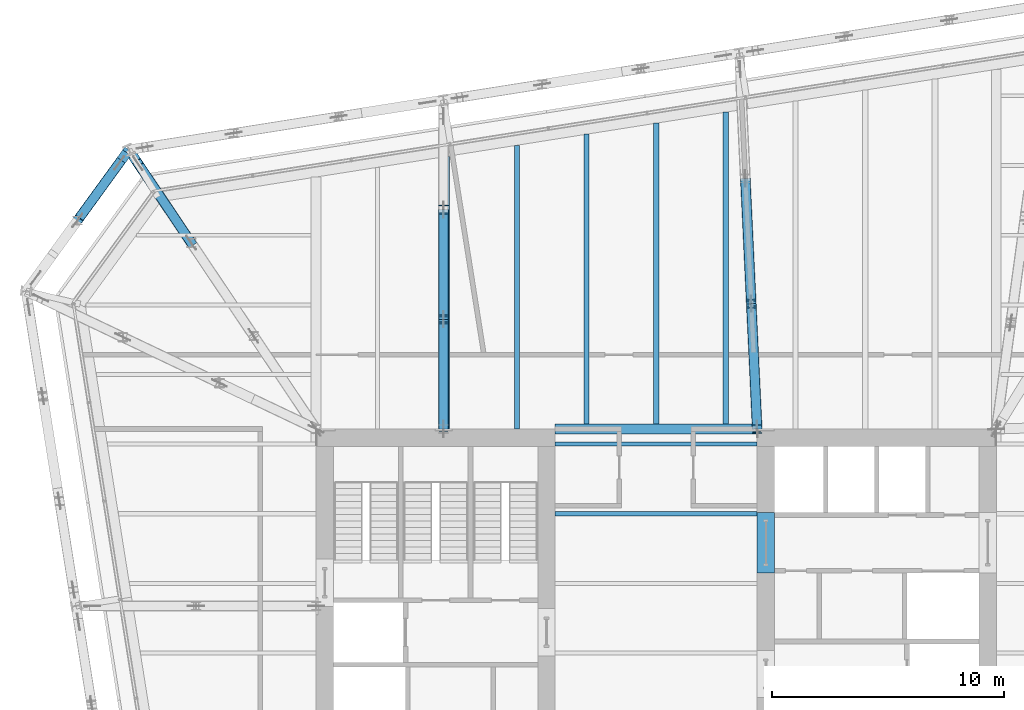
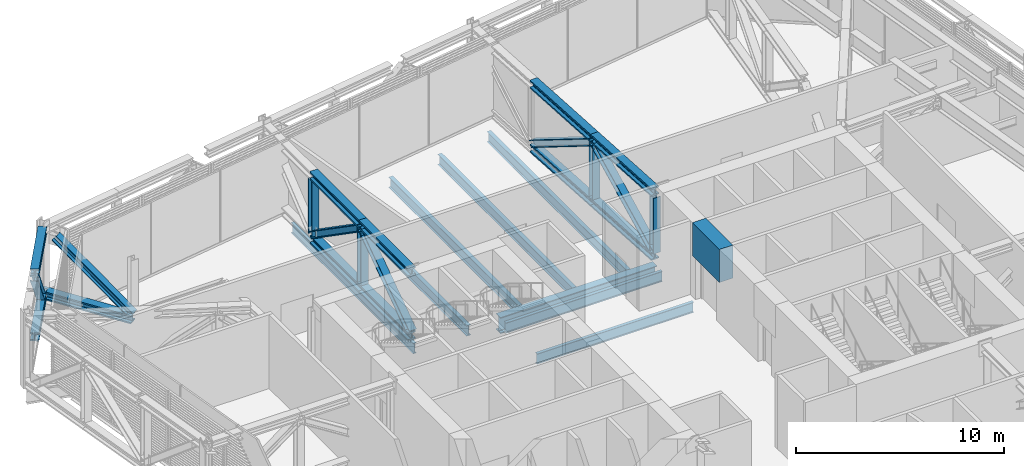
# One storey, part 12 of 31: 20 beams, 10 members.
"""IFC4 building model written with IfcOpenShell, lengths in metres."""

from ifc_helpers import new_model, si_unit, direction, frame, origin, origin_2d, place, context, subcontext, project, spatial, rectangle, i_section, extrude, material, material_profile, profile_set, type_object, element, save


model = new_model("IFC4")

# Units and contexts
model_context = context("Model", 3, precision=1e-05, world=origin(), true_north=direction((0.0, 1.0)))
body_context = subcontext(model_context, "Body", "Model", "MODEL_VIEW")
ifc_project = project(units=[si_unit("LENGTHUNIT", "METRE"), si_unit("AREAUNIT", "SQUARE_METRE"), si_unit("VOLUMEUNIT", "CUBIC_METRE"), si_unit("PLANEANGLEUNIT", "RADIAN"), si_unit("MASSUNIT", "GRAM", prefix="KILO")], contexts=[model_context])

# Site, building, storey
site_placement = place(None, origin())
site = spatial("IfcSite", under=ifc_project, at=site_placement, CompositionType="ELEMENT")
building_placement = place(site_placement, origin())
building = spatial("IfcBuilding", under=site, at=building_placement, Name="Millrace Tower", CompositionType="ELEMENT")
storey_placement = place(building_placement, frame((0.0, 0.0, 195.60009765625)))
storey = spatial("IfcBuildingStorey", under=building, at=storey_placement, Name="L44", CompositionType="ELEMENT", Elevation=195.60009765625)

# Beams
ifc_material_1 = material(Name="Steel ASTM A992 Grade 50", Category="steel")
ifc_material_profile_1 = material_profile(ifc_material_1, i_section(OverallWidth=0.4267578125, OverallDepth=0.482666015625, WebThickness=0.05126953125, FlangeThickness=0.08154296875, FilletRadius=0.01513671875, at=origin_2d()))
ifc_profile_set_1 = profile_set([ifc_material_profile_1], Name="Steel ASTM A992 Grade 50")
beam_type_1 = type_object("IfcBeamType", Name="Belt truss chord W14x455", PredefinedType="BEAM", material=ifc_profile_set_1)
beam_1_placement = place(storey_placement, frame((-22.718994140625, 21.679443359375, 0.2412109375), z_axis=(-0.587816727531, -0.80899412534, 0.0), x_axis=(0.80899412534, -0.587816727531, 0.0)))
element("IfcBeam", 1, at=beam_1_placement, inside=storey, type_object=beam_type_1, Name="BLT-L44-R13-B01", PredefinedType="BEAM", context=body_context, shape_type="SweptSolid", body=[
    extrude(i_section(OverallWidth=0.4267578125, OverallDepth=0.482666015625, WebThickness=0.05126953125, FlangeThickness=0.08154296875, FilletRadius=0.01513671875, at=origin_2d()), origin(), (0.0, 0.0, 1.0), 3.762939453125),
])
beam_2_placement = place(storey_placement, frame((-22.809814453125, 21.554443359375, 3.99853515625), z_axis=(-0.587817622447, -0.808993475092, 0.0), x_axis=(0.808993475092, -0.587817622447, 0.0)))
element("IfcBeam", 2, at=beam_2_placement, inside=storey, type_object=beam_type_1, Name="BLT-L44-R13-T01", PredefinedType="BEAM", context=body_context, shape_type="SweptSolid", body=[
    extrude(i_section(OverallWidth=0.4267578125, OverallDepth=0.482666015625, WebThickness=0.05126953125, FlangeThickness=0.08154296875, FilletRadius=0.01513671875, at=origin_2d()), origin(), (0.0, 0.0, 1.0), 3.6083984375),
])

# Member
ifc_material_2 = material(Name="Steel ASTM A992 Grade 50", Category="steel")
ifc_material_profile_2 = material_profile(ifc_material_2, i_section(OverallWidth=0.398681640625, OverallDepth=0.393798828125, WebThickness=0.022705078125, FlangeThickness=0.03662109375, FilletRadius=0.01513671875, at=origin_2d()))
ifc_profile_set_2 = profile_set([ifc_material_profile_2], Name="Steel ASTM A992 Grade 50")
member_type_1 = type_object("IfcMemberType", Name="Belt truss diagonal W14x193", PredefinedType="BRACE", material=ifc_profile_set_2)
member_1_placement = place(storey_placement, frame((-23.130615234375, 21.113037109375, 0.482421875), z_axis=(-0.40150068373, -0.552594309625, 0.730367530723), x_axis=(0.809004868812, -0.587801941336, 0.0)))
element("IfcMember", 3, at=member_1_placement, inside=storey, type_object=member_type_1, Name="BLT-L44-R13-D01", PredefinedType="BRACE", context=body_context, shape_type="SweptSolid", body=[
    extrude(i_section(OverallWidth=0.398681640625, OverallDepth=0.393798828125, WebThickness=0.022705078125, FlangeThickness=0.03662109375, FilletRadius=0.01513671875, at=origin_2d()), origin(), (0.0, 0.0, 1.0), 4.48388671875),
])

# Beams
ifc_material_3 = material(Name="Concrete C70", Category="concrete")
ifc_material_profile_3 = material_profile(ifc_material_3, rectangle(XDim=0.75, YDim=1.93994140625, at=origin_2d()))
ifc_profile_set_3 = profile_set([ifc_material_profile_3], Name="Concrete C70")
beam_type_2 = type_object("IfcBeamType", Name="Coupling beam 750 x 1940 Concrete C70, 2000 opening", PredefinedType="BEAM", material=ifc_profile_set_3)
beam_3_placement = place(storey_placement, frame((4.72509765625, 6.050048828125, 3.369873046875), z_axis=(0.0, -1.0, 0.0), x_axis=(1.0, 0.0, 0.0)))
element("IfcBeam", 4, at=beam_3_placement, inside=storey, type_object=beam_type_2, Name="Coupling beam E L44", PredefinedType="BEAM", context=body_context, shape_type="SweptSolid", body=[
    extrude(rectangle(XDim=0.75, YDim=1.93994140625, at=origin_2d()), origin(), (0.0, 0.0, 1.0), 2.60009765625),
])
ifc_material_4 = material(Name="Steel ASTM A992 Grade 50", Category="steel")
ifc_material_profile_4 = material_profile(ifc_material_4, i_section(OverallWidth=0.177978515625, OverallDepth=0.599365234375, WebThickness=0.010009765625, FlangeThickness=0.012939453125, FilletRadius=0.012939453125, at=origin_2d()))
ifc_profile_set_4 = profile_set([ifc_material_profile_4], Name="Steel ASTM A992 Grade 50")
beam_type_3 = type_object("IfcBeamType", Name="Floor beam W24x55", PredefinedType="JOIST", material=ifc_profile_set_4)
for number, where, z_axis, x_axis, name in (
    (5, (-4.35009765625, 6.0, -0.5498046875), (1.0, 0.0, 0.0), (0.0, 1.0, 0.0), "BM-C-L44-S1-S025"),
    (6, (-4.35009765625, 9.0, -0.5498046875), (1.0, 0.0, 0.0), (0.0, 1.0, 0.0), "BM-C-L44-S1-S028"),
):
    element("IfcBeam", number, at=place(storey_placement, frame(where, z_axis=z_axis, x_axis=x_axis)), inside=storey, type_object=beam_type_3, Name=name, PredefinedType="JOIST", context=body_context, shape_type="SweptSolid", body=[
        extrude(i_section(OverallWidth=0.177978515625, OverallDepth=0.599365234375, WebThickness=0.010009765625, FlangeThickness=0.012939453125, FilletRadius=0.012939453125, at=origin_2d()), origin(), (0.0, 0.0, 1.0), 8.7001953125),
    ])
ifc_material_5 = material(Name="Steel ASTM A992 Grade 50", Category="steel")
ifc_material_profile_5 = material_profile(ifc_material_5, i_section(OverallWidth=0.1787109375, OverallDepth=0.60205078125, WebThickness=0.010986328125, FlangeThickness=0.014892578125, FilletRadius=0.0126953125, at=origin_2d()))
ifc_profile_set_5 = profile_set([ifc_material_profile_5], Name="Steel ASTM A992 Grade 50")
beam_type_4 = type_object("IfcBeamType", Name="Floor beam W24x62", PredefinedType="JOIST", material=ifc_profile_set_5)
beam_4_placement = place(storey_placement, frame((-9.0, 9.64990234375, -0.551025390625), z_axis=(0.0, 1.0, 0.0), x_axis=(-1.0, 0.0, 0.0)))
element("IfcBeam", 7, at=beam_4_placement, inside=storey, type_object=beam_type_4, Name="BM-C-L44-S1-S041", PredefinedType="JOIST", context=body_context, shape_type="SweptSolid", body=[
    extrude(i_section(OverallWidth=0.1787109375, OverallDepth=0.60205078125, WebThickness=0.010986328125, FlangeThickness=0.014892578125, FilletRadius=0.0126953125, at=origin_2d()), origin(), (0.0, 0.0, 1.0), 11.750732421875),
])
ifc_material_6 = material(Name="Steel ASTM A992 Grade 50", Category="steel")
ifc_material_profile_6 = material_profile(ifc_material_6, i_section(OverallWidth=0.228271484375, OverallDepth=0.607177734375, WebThickness=0.01123046875, FlangeThickness=0.017333984375, FilletRadius=0.0126953125, at=origin_2d()))
ifc_profile_set_6 = profile_set([ifc_material_profile_6], Name="Steel ASTM A992 Grade 50")
beam_type_5 = type_object("IfcBeamType", Name="Floor beam W24x76", PredefinedType="JOIST", material=ifc_profile_set_6)
beam_5_placement = place(storey_placement, frame((-6.0, 9.64990234375, -0.5537109375), z_axis=(0.0, 1.0, 0.0), x_axis=(-1.0, 0.0, 0.0)))
element("IfcBeam", 8, at=beam_5_placement, inside=storey, type_object=beam_type_5, Name="BM-C-L44-S1-S043", PredefinedType="JOIST", context=body_context, shape_type="SweptSolid", body=[
    extrude(i_section(OverallWidth=0.228271484375, OverallDepth=0.607177734375, WebThickness=0.01123046875, FlangeThickness=0.017333984375, FilletRadius=0.0126953125, at=origin_2d()), origin(), (0.0, 0.0, 1.0), 12.225830078125),
])
beam_6_placement = place(storey_placement, frame((-3.0, 9.862060546875, -0.5537109375), z_axis=(0.0, 1.0, 0.0), x_axis=(-1.0, 0.0, 0.0)))
element("IfcBeam", 9, at=beam_6_placement, inside=storey, type_object=beam_type_5, Name="BM-C-L44-S1-S045", PredefinedType="JOIST", context=body_context, shape_type="SweptSolid", body=[
    extrude(i_section(OverallWidth=0.228271484375, OverallDepth=0.607177734375, WebThickness=0.01123046875, FlangeThickness=0.017333984375, FilletRadius=0.0126953125, at=origin_2d()), origin(), (0.0, 0.0, 1.0), 12.48876953125),
])
beam_7_placement = place(storey_placement, frame((0.0, 9.862060546875, -0.5537109375), z_axis=(0.0, 1.0, 0.0), x_axis=(-1.0, 0.0, 0.0)))
element("IfcBeam", 10, at=beam_7_placement, inside=storey, type_object=beam_type_5, Name="BM-C-L44-S1-S047", PredefinedType="JOIST", context=body_context, shape_type="SweptSolid", body=[
    extrude(i_section(OverallWidth=0.228271484375, OverallDepth=0.607177734375, WebThickness=0.01123046875, FlangeThickness=0.017333984375, FilletRadius=0.0126953125, at=origin_2d()), origin(), (0.0, 0.0, 1.0), 12.9638671875),
])
beam_8_placement = place(storey_placement, frame((3.0, 9.862060546875, -0.5537109375), z_axis=(0.0, 1.0, 0.0), x_axis=(-1.0, 0.0, 0.0)))
element("IfcBeam", 11, at=beam_8_placement, inside=storey, type_object=beam_type_5, Name="BM-C-L44-S1-S049", PredefinedType="JOIST", context=body_context, shape_type="SweptSolid", body=[
    extrude(i_section(OverallWidth=0.228271484375, OverallDepth=0.607177734375, WebThickness=0.01123046875, FlangeThickness=0.017333984375, FilletRadius=0.0126953125, at=origin_2d()), origin(), (0.0, 0.0, 1.0), 13.43896484375),
])
ifc_material_7 = material(Name="Steel ASTM A992 Grade 50", Category="steel")
ifc_material_profile_7 = material_profile(ifc_material_7, i_section(OverallWidth=0.424072265625, OverallDepth=0.947509765625, WebThickness=0.02392578125, FlangeThickness=0.042724609375, FilletRadius=0.024169921875, at=origin_2d()))
ifc_profile_set_7 = profile_set([ifc_material_profile_7], Name="Steel ASTM A992 Grade 50")
beam_type_6 = type_object("IfcBeamType", Name="Girder short span W36x302", PredefinedType="BEAM", material=ifc_profile_set_7)
beam_9_placement = place(storey_placement, frame((-4.35009765625, 9.64990234375, -0.723876953125), z_axis=(1.0, 0.0, 0.0), x_axis=(0.0, 1.0, 0.0)))
element("IfcBeam", 12, at=beam_9_placement, inside=storey, type_object=beam_type_6, Name="BM-C-L44-S1-G061", PredefinedType="BEAM", context=body_context, shape_type="SweptSolid", body=[
    extrude(i_section(OverallWidth=0.424072265625, OverallDepth=0.947509765625, WebThickness=0.02392578125, FlangeThickness=0.042724609375, FilletRadius=0.024169921875, at=origin_2d()), origin(), (0.0, 0.0, 1.0), 8.7001953125),
])
ifc_material_8 = material(Name="Steel ASTM A992 Grade 50", Category="steel")
ifc_material_profile_8 = material_profile(ifc_material_8, i_section(OverallWidth=0.4267578125, OverallDepth=0.482666015625, WebThickness=0.05126953125, FlangeThickness=0.08154296875, FilletRadius=0.01513671875, at=origin_2d()))
ifc_profile_set_8 = profile_set([ifc_material_profile_8], Name="Steel ASTM A992 Grade 50")
beam_type_7 = type_object("IfcBeamType", Name="Outrigger truss chord W14x455", PredefinedType="BEAM", material=ifc_profile_set_8)
for number, where, z_axis, x_axis, name in (
    (13, (4.35009765625, 9.64990234375, 0.2412109375), (-0.047432081615, 0.998874465403, 0.0), (-0.998874465403, -0.047432081615, 0.0), "BLT-L44-O11-B01"),
    (14, (4.35009765625, 9.64990234375, 3.99853515625), (-0.047432081615, 0.998874465403, 0.0), (-0.998874465403, -0.047432081615, 0.0), "BLT-L44-O11-T01"),
    (15, (4.09375, 15.04833984375, 0.2412109375), (-0.04738700969, 0.998876604648, 0.0), (-0.998876604648, -0.04738700969, 0.0), "BLT-L44-O11-B02"),
    (16, (4.09375, 15.04833984375, 3.99853515625), (-0.04738700969, 0.998876604648, 0.0), (-0.998876604648, -0.04738700969, 0.0), "BLT-L44-O11-T02"),
):
    element("IfcBeam", number, at=place(storey_placement, frame(where, z_axis=z_axis, x_axis=x_axis)), inside=storey, type_object=beam_type_7, Name=name, PredefinedType="BEAM", context=body_context, shape_type="SweptSolid", body=[
        extrude(i_section(OverallWidth=0.4267578125, OverallDepth=0.482666015625, WebThickness=0.05126953125, FlangeThickness=0.08154296875, FilletRadius=0.01513671875, at=origin_2d()), origin(), (0.0, 0.0, 1.0), 5.404541015625),
    ])
for number, where, z_axis, x_axis, name in (
    (17, (-9.15966796875, 9.64990234375, 0.2412109375), (0.0, 1.0, 0.0), (-1.0, 0.0, 0.0), "BLT-L44-O12-B01"),
    (18, (-9.15966796875, 9.64990234375, 3.99853515625), (0.0, 1.0, 0.0), (-1.0, 0.0, 0.0), "BLT-L44-O12-T01"),
):
    element("IfcBeam", number, at=place(storey_placement, frame(where, z_axis=z_axis, x_axis=x_axis)), inside=storey, type_object=beam_type_7, Name=name, PredefinedType="BEAM", context=body_context, shape_type="SweptSolid", body=[
        extrude(i_section(OverallWidth=0.4267578125, OverallDepth=0.482666015625, WebThickness=0.05126953125, FlangeThickness=0.08154296875, FilletRadius=0.01513671875, at=origin_2d()), origin(), (0.0, 0.0, 1.0), 4.725830078125),
    ])
for number, where, z_axis, x_axis, name in (
    (19, (-9.15966796875, 14.375732421875, 0.2412109375), (0.0, 1.0, 0.0), (-1.0, 0.0, 0.0), "BLT-L44-O12-B02"),
    (20, (-9.15966796875, 14.375732421875, 3.99853515625), (0.0, 1.0, 0.0), (-1.0, 0.0, 0.0), "BLT-L44-O12-T02"),
):
    element("IfcBeam", number, at=place(storey_placement, frame(where, z_axis=z_axis, x_axis=x_axis)), inside=storey, type_object=beam_type_7, Name=name, PredefinedType="BEAM", context=body_context, shape_type="SweptSolid", body=[
        extrude(i_section(OverallWidth=0.4267578125, OverallDepth=0.482666015625, WebThickness=0.05126953125, FlangeThickness=0.08154296875, FilletRadius=0.01513671875, at=origin_2d()), origin(), (0.0, 0.0, 1.0), 4.7255859375),
    ])
beam_10_placement = place(storey_placement, frame((-20.029296875, 17.669677734375, 0.2412109375), z_axis=(-0.5570666905, 0.830467761166, 0.0), x_axis=(-0.830467761166, -0.5570666905, 0.0)))
element("IfcBeam", 21, at=beam_10_placement, inside=storey, type_object=beam_type_7, Name="BLT-L44-O13-B03", PredefinedType="BEAM", context=body_context, shape_type="SweptSolid", body=[
    extrude(i_section(OverallWidth=0.4267578125, OverallDepth=0.482666015625, WebThickness=0.05126953125, FlangeThickness=0.08154296875, FilletRadius=0.01513671875, at=origin_2d()), origin(), (0.0, 0.0, 1.0), 4.828369140625),
])

# Members
ifc_material_9 = material(Name="Steel ASTM A992 Grade 50", Category="steel")
ifc_material_profile_9 = material_profile(ifc_material_9, i_section(OverallWidth=0.398681640625, OverallDepth=0.393798828125, WebThickness=0.022705078125, FlangeThickness=0.03662109375, FilletRadius=0.01513671875, at=origin_2d()))
ifc_profile_set_9 = profile_set([ifc_material_profile_9], Name="Steel ASTM A992 Grade 50")
member_type_2 = type_object("IfcMemberType", Name="Outrigger truss diagonal W14x193", PredefinedType="BRACE", material=ifc_profile_set_9)
for number, where, z_axis, x_axis, name in (
    (22, (4.35009765625, 9.64990234375, 0.482421875), (-0.040565691677, 0.854274832717, 0.518236369667), (-0.998874465403, -0.047432081615, 0.0), "BLT-L44-O11-D01"),
    (23, (3.837646484375, 20.44677734375, 0.482421875), (0.040527121169, -0.854276170915, 0.518237181469), (0.998876604648, 0.04738700969, 0.0), "BLT-L44-O11-D02"),
):
    element("IfcMember", number, at=place(storey_placement, frame(where, z_axis=z_axis, x_axis=x_axis)), inside=storey, type_object=member_type_2, Name=name, PredefinedType="BRACE", context=body_context, shape_type="SweptSolid", body=[
        extrude(i_section(OverallWidth=0.398681640625, OverallDepth=0.393798828125, WebThickness=0.022705078125, FlangeThickness=0.03662109375, FilletRadius=0.01513671875, at=origin_2d()), origin(), (0.0, 0.0, 1.0), 6.3193359375),
    ])
member_2_placement = place(storey_placement, frame((-9.15966796875, 9.64990234375, 0.482421875), z_axis=(0.0, 0.821933769152, 0.569583074826), x_axis=(-1.0, 0.0, 0.0)))
element("IfcMember", 24, at=member_2_placement, inside=storey, type_object=member_type_2, Name="BLT-L44-O12-D01", PredefinedType="BRACE", context=body_context, shape_type="SweptSolid", body=[
    extrude(i_section(OverallWidth=0.398681640625, OverallDepth=0.393798828125, WebThickness=0.022705078125, FlangeThickness=0.03662109375, FilletRadius=0.01513671875, at=origin_2d()), origin(), (0.0, 0.0, 1.0), 5.749755859375),
])
member_3_placement = place(storey_placement, frame((-9.15966796875, 19.101318359375, 0.482421875), z_axis=(0.0, -0.821919992754, 0.569602954268), x_axis=(1.0, 0.0, 0.0)))
element("IfcMember", 25, at=member_3_placement, inside=storey, type_object=member_type_2, Name="BLT-L44-O12-D02", PredefinedType="BRACE", context=body_context, shape_type="SweptSolid", body=[
    extrude(i_section(OverallWidth=0.398681640625, OverallDepth=0.393798828125, WebThickness=0.022705078125, FlangeThickness=0.03662109375, FilletRadius=0.01513671875, at=origin_2d()), origin(), (0.0, 0.0, 1.0), 5.74951171875),
])
member_4_placement = place(storey_placement, frame((-20.029296875, 17.669677734375, 0.482421875), z_axis=(-0.436430372741, 0.650614832738, 0.621473144368), x_axis=(-0.83046384828, -0.557072523734, 0.0)))
element("IfcMember", 26, at=member_4_placement, inside=storey, type_object=member_type_2, Name="BLT-L44-O13-D03", PredefinedType="BRACE", context=body_context, shape_type="SweptSolid", body=[
    extrude(i_section(OverallWidth=0.398681640625, OverallDepth=0.393798828125, WebThickness=0.022705078125, FlangeThickness=0.03662109375, FilletRadius=0.01513671875, at=origin_2d()), origin(), (0.0, 0.0, 1.0), 5.26953125),
])
ifc_material_10 = material(Name="Steel ASTM A992 Grade 50", Category="steel")
ifc_material_profile_10 = material_profile(ifc_material_10, i_section(OverallWidth=0.396240234375, OverallDepth=0.381103515625, WebThickness=0.018798828125, FlangeThickness=0.0302734375, FilletRadius=0.01513671875, at=origin_2d()))
ifc_profile_set_10 = profile_set([ifc_material_profile_10], Name="Steel ASTM A992 Grade 50")
member_type_3 = type_object("IfcMemberType", Name="Outrigger truss post W14x159", PredefinedType="POST", material=ifc_profile_set_10)
for number, where, z_axis, x_axis, name in (
    (27, (4.35009765625, 9.64990234375, 0.482421875), (0.0, 0.0, 1.0), (1.0, 0.0, 0.0), "BLT-L44-O11-V00"),
    (28, (4.09375, 15.04833984375, 0.482421875), (0.0, 0.0, 1.0), (1.0, 0.0, 0.0), "BLT-L44-O11-V01"),
    (29, (-9.15966796875, 14.375732421875, 0.482421875), (0.0, 0.0, 1.0), (1.0, 0.0, 0.0), "BLT-L44-O12-V01"),
    (30, (-9.15966796875, 19.101318359375, 0.482421875), (0.0, 0.0, 1.0), (1.0, 0.0, 0.0), "BLT-L44-O12-V02"),
):
    element("IfcMember", number, at=place(storey_placement, frame(where, z_axis=z_axis, x_axis=x_axis)), inside=storey, type_object=member_type_3, Name=name, PredefinedType="POST", context=body_context, shape_type="SweptSolid", body=[
        extrude(i_section(OverallWidth=0.396240234375, OverallDepth=0.381103515625, WebThickness=0.018798828125, FlangeThickness=0.0302734375, FilletRadius=0.01513671875, at=origin_2d()), origin(), (0.0, 0.0, 1.0), 3.27490234375),
    ])

save(model, "model.ifc")
